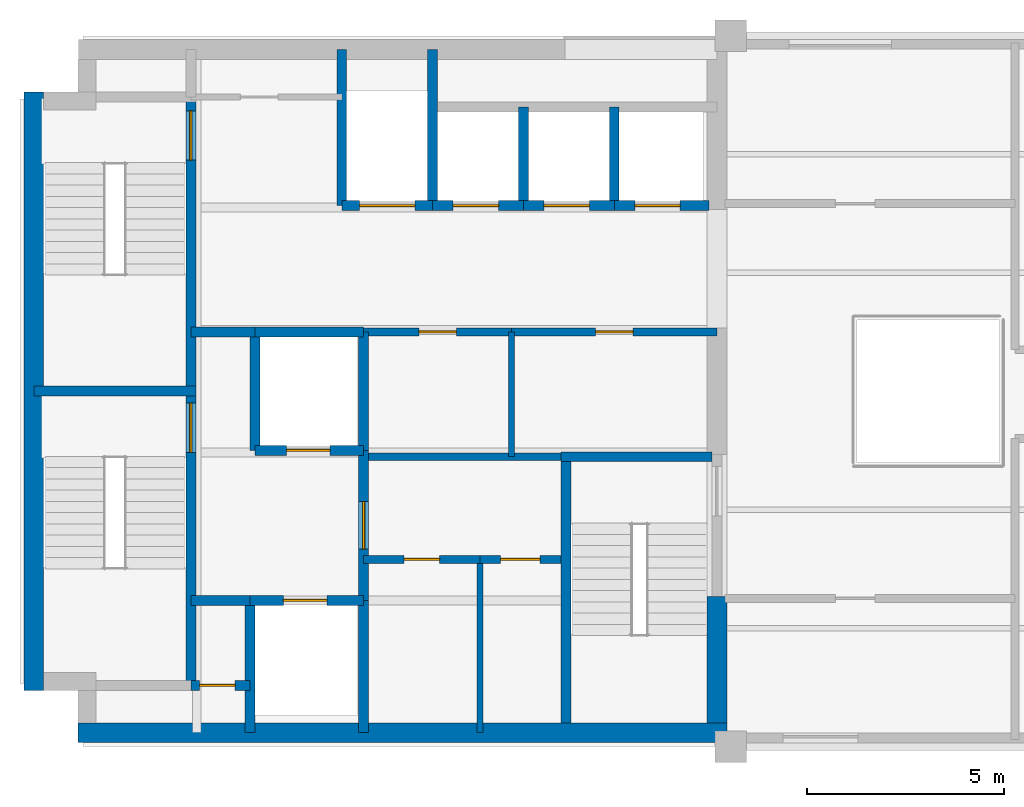
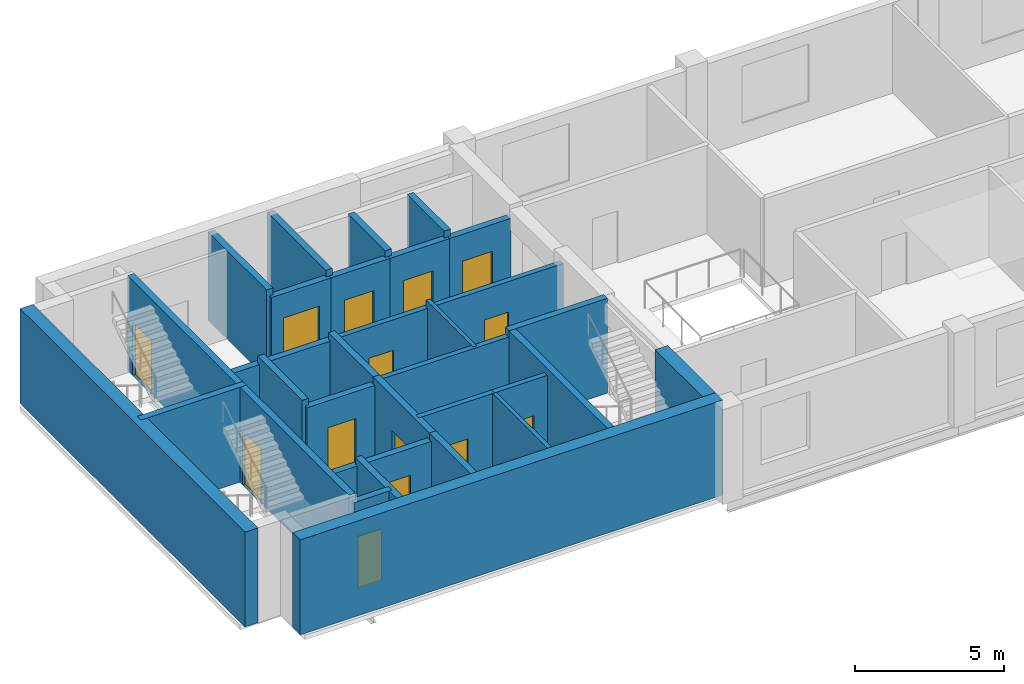
# One storey, part 2 of 5: 34 walls, 14 doors, 14 openings.
"""IFC4 building model written with IfcOpenShell, lengths in metres."""

import ifcopenshell
import ifcopenshell.guid

model = None  # the IFC model being written
_history = None  # IfcOwnerHistory: only IFC2X3 demands one
_inside = {}  # id of a spatial element -> (the spatial element, [elements in it])
_under = {}  # id of a project, library or spatial element -> (it, [spatial elements below it])
_declared = {}  # id of a project -> (the project, [libraries it declares])
_typed = {}  # id of a type object -> (the type object, [elements of that type])
_made_of = {}  # id of a material, layer set ... -> (it, [elements and type objects made of it])


def new_model(schema):
    """Start an empty IFC model of exactly this schema.

    Asked for "IFC4X3", IfcOpenShell would pick the latest addendum, in which some entities
    have other attributes; the version numbers below select the first issue.
    IFC2X3 requires an IfcOwnerHistory on every rooted entity: one is made here for all.
    """
    global model, _history
    if schema == "IFC4X3":
        model = ifcopenshell.file(schema_version=(4, 3, 0, 0))
    else:
        model = ifcopenshell.file(schema=schema)
    _inside.clear()
    _under.clear()
    _declared.clear()
    _typed.clear()
    _made_of.clear()
    _history = None
    if model.schema == "IFC2X3":
        org = make("IfcOrganization", Name="unknown")
        user = make(
            "IfcPersonAndOrganization",
            ThePerson=make("IfcPerson", FamilyName="unknown"),
            TheOrganization=org,
        )
        app = make(
            "IfcApplication",
            ApplicationDeveloper=org,
            Version="unknown",
            ApplicationFullName="unknown",
            ApplicationIdentifier="unknown",
        )
        _history = make(
            "IfcOwnerHistory",
            OwningUser=user,
            OwningApplication=app,
            ChangeAction="ADDED",
            CreationDate=0,
        )
    return model


def make(cls, **values):
    """One entity of the class cls with the attributes given. An attribute that is None is left unset."""
    return model.create_entity(
        cls, **{name: value for name, value in values.items() if value is not None}
    )


def rooted(cls, **values):
    """An entity with a GlobalId (a new one), such as an element, a storey or a relation."""
    return make(cls, GlobalId=ifcopenshell.guid.new(), OwnerHistory=_history, **values)


def si_unit(unit_type, name, prefix=None):
    """IfcSIUnit, for example si_unit("LENGTHUNIT", "METRE", prefix="MILLI")."""
    return make("IfcSIUnit", UnitType=unit_type, Prefix=prefix, Name=name)


def assignment(units):
    """IfcUnitAssignment: the units of a project."""
    return None if units is None else make("IfcUnitAssignment", Units=units)


def point(xyz):
    """IfcCartesianPoint."""
    return None if xyz is None else make("IfcCartesianPoint", Coordinates=xyz)


def direction(xyz):
    """IfcDirection."""
    return None if xyz is None else make("IfcDirection", DirectionRatios=xyz)


def frame(location, z_axis=None, x_axis=None):
    """IfcAxis2Placement3D, a coordinate frame: its origin and axes. An axis left out is left unset."""
    return make(
        "IfcAxis2Placement3D",
        Location=point(location),
        Axis=direction(z_axis),
        RefDirection=direction(x_axis),
    )


def frame_2d(location, x_axis=None):
    """IfcAxis2Placement2D, a coordinate frame in the plane: its origin and x axis."""
    return make(
        "IfcAxis2Placement2D", Location=point(location), RefDirection=direction(x_axis)
    )


def origin():
    """The frame at (0, 0, 0) with its axes left unset."""
    return frame((0.0, 0.0, 0.0))


def place(relative_to, where):
    """IfcLocalPlacement: puts the frame where relative to a parent placement (None: the world)."""
    return make(
        "IfcLocalPlacement", PlacementRelTo=relative_to, RelativePlacement=where
    )


def context(
    kind, dimensions, precision=None, world=None, true_north=None, identifier=None
):
    """IfcGeometricRepresentationContext, for example the 3D "Model" context."""
    return make(
        "IfcGeometricRepresentationContext",
        ContextIdentifier=identifier,
        ContextType=kind,
        CoordinateSpaceDimension=dimensions,
        Precision=precision,
        WorldCoordinateSystem=world,
        TrueNorth=true_north,
    )


def subcontext(parent, identifier, kind, view, scale=None):
    """IfcGeometricRepresentationSubContext, for example "Body" below "Model"."""
    return make(
        "IfcGeometricRepresentationSubContext",
        ContextIdentifier=identifier,
        ContextType=kind,
        ParentContext=parent,
        TargetScale=scale,
        TargetView=view,
    )


def project(units=None, contexts=None):
    """IfcProject with its units and contexts."""
    return rooted(
        "IfcProject",
        Name="project",
        RepresentationContexts=contexts,
        UnitsInContext=assignment(units),
    )


def spatial(cls, under=None, at=None, **own):
    """A site, building, storey or space (cls), placed at a placement, below another one or the project."""
    s = rooted(cls, ObjectPlacement=at, **own)
    if under is not None:
        _under.setdefault(under.id(), (under, []))[1].append(s)
    return s


def profile(cls, at=None, kind="AREA", **sizes):
    """A parametric profile (cls). Its sizes go by their IFC names, for example OverallWidth=200.0."""
    return make(cls, ProfileType=kind, Position=at, **sizes)


def rectangle(**sizes):
    """IfcRectangleProfileDef."""
    return profile("IfcRectangleProfileDef", **sizes)


def extrude(swept, where, along, depth):
    """IfcExtrudedAreaSolid: the profile swept, set in the frame where, extruded along a direction by depth."""
    return make(
        "IfcExtrudedAreaSolid",
        SweptArea=swept,
        Position=where,
        ExtrudedDirection=direction(along),
        Depth=depth,
    )


def shape(context_of_items, identifier, shape_type, items):
    """IfcShapeRepresentation: the items that make up one representation, for example the "Body"."""
    return make(
        "IfcShapeRepresentation",
        ContextOfItems=context_of_items,
        RepresentationIdentifier=identifier,
        RepresentationType=shape_type,
        Items=items,
    )


def material(Name=None, Category=None):
    """IfcMaterial."""
    return make("IfcMaterial", Name=Name, Category=Category)


def layer(
    of_material, thickness, ventilated=None, Name=None, Category=None, Priority=None
):
    """IfcMaterialLayer: one layer of a wall or slab, of a material (None: an air gap)."""
    return make(
        "IfcMaterialLayer",
        Material=of_material,
        LayerThickness=thickness,
        IsVentilated=ventilated,
        Name=Name,
        Category=Category,
        Priority=Priority,
    )


def layer_set(layers, Name=None):
    """IfcMaterialLayerSet."""
    return make("IfcMaterialLayerSet", MaterialLayers=layers, LayerSetName=Name)


def made_of(thing, what):
    """Note that an element or type object is made of a material, layer set ...; save() writes the relation."""
    if what is not None:
        _made_of.setdefault(what.id(), (what, []))[1].append(thing)
    return thing


def type_object(cls, material=None, **own):
    """A type object (cls), such as IfcWallType, which elements share."""
    return made_of(rooted(cls, **own), material)


def element(
    cls,
    number,
    at=None,
    inside=None,
    cuts=None,
    type_object=None,
    material=None,
    context=None,
    identifier="Body",
    shape_type=None,
    held_by="IfcProductDefinitionShape",
    body=None,
    shapes=None,
    **own,
):
    """One element of the class cls, such as IfcWall. Its Tag is "e" and its number.

    at: its placement. inside: the storey or other place that contains it. cuts: it is an
    opening in that element (IfcRelVoidsElement). A single representation is given by context,
    identifier, shape_type and body (its items); several are given by shapes. held_by: the class
    of the entity that holds the representations. save() writes the other relations.
    """
    e = rooted(cls, Tag="e%d" % number, ObjectPlacement=at, **own)
    if body is not None:
        shapes = [shape(context, identifier, shape_type, body)]
    if shapes is not None:
        e.Representation = make(held_by, Representations=shapes)
    if inside is not None:
        _inside.setdefault(inside.id(), (inside, []))[1].append(e)
    if cuts is not None:
        rooted(
            "IfcRelVoidsElement", RelatingBuildingElement=cuts, RelatedOpeningElement=e
        )
    if type_object is not None:
        _typed.setdefault(type_object.id(), (type_object, []))[1].append(e)
    return made_of(e, material)


def fill(opening, filler):
    """IfcRelFillsElement: the door or window that sits in an opening."""
    return rooted(
        "IfcRelFillsElement",
        RelatingOpeningElement=opening,
        RelatedBuildingElement=filler,
    )


def aggregate(whole, parts):
    """IfcRelAggregates: a whole, such as a stair, and the parts it consists of."""
    return rooted("IfcRelAggregates", RelatingObject=whole, RelatedObjects=parts)


def save(model, path):
    """Write the relations noted so far, then the file.

    IfcRelAggregates (storeys below a building ...), IfcRelContainedInSpatialStructure (elements
    in a storey), IfcRelDefinesByType, IfcRelAssociatesMaterial and IfcRelDeclares: one each for
    every whole, place, type object, material and project.
    """
    for whole, parts in _under.values():
        aggregate(whole, parts)
    for where, things in _inside.values():
        rooted(
            "IfcRelContainedInSpatialStructure",
            RelatedElements=things,
            RelatingStructure=where,
        )
    for kind, things in _typed.values():
        rooted("IfcRelDefinesByType", RelatedObjects=things, RelatingType=kind)
    for what, things in _made_of.values():
        rooted("IfcRelAssociatesMaterial", RelatedObjects=things, RelatingMaterial=what)
    for by, libraries in _declared.values():
        rooted("IfcRelDeclares", RelatingContext=by, RelatedDefinitions=libraries)
    model.write(path)


model = new_model("IFC4")

# Units and contexts
model_context = context("Model", 3, precision=1e-05, world=origin(), true_north=direction((0.0, 1.0)))
body_context = subcontext(model_context, "Body", "Model", "MODEL_VIEW")
ifc_project = project(units=[si_unit("LENGTHUNIT", "METRE"), si_unit("AREAUNIT", "SQUARE_METRE"), si_unit("VOLUMEUNIT", "CUBIC_METRE"), si_unit("PLANEANGLEUNIT", "RADIAN"), si_unit("MASSUNIT", "GRAM", prefix="KILO")], contexts=[model_context])

# Site, building, storey
site_placement = place(None, origin())
site = spatial("IfcSite", under=ifc_project, at=site_placement, CompositionType="ELEMENT")
building_placement = place(site_placement, origin())
building = spatial("IfcBuilding", under=site, at=building_placement, Name="Mawjdan Bourse Tower", CompositionType="ELEMENT")
storey_placement = place(building_placement, frame((0.0, 0.0, 282.0)))
storey = spatial("IfcBuildingStorey", under=building, at=storey_placement, Name="L69", CompositionType="ELEMENT", Elevation=282.0)

# Wall, opening, door
ifc_material_1 = material(Name="Gypsum Fireboard Assembly")
ifc_layer_1 = layer(ifc_material_1, 0.199951171875)
ifc_layer_set_1 = layer_set([ifc_layer_1], Name="Gypsum Fireboard Assembly")
wall_type_1 = type_object("IfcWallType", Name="WL-CMP-200", PredefinedType="PARTITIONING", material=ifc_layer_set_1)
wall_1_placement = place(storey_placement, frame((14.699951171875, 7.739990234375, 0.0), z_axis=(0.0, 0.0, 1.0), x_axis=(1.0, 0.0, 0.0)))
wall_1 = element("IfcWall", 1, at=wall_1_placement, inside=storey, type_object=wall_type_1, Name="L69 IT & Telemetry Room North Wall", PredefinedType="PARTITIONING", context=body_context, shape_type="SweptSolid", body=[
    extrude(rectangle(XDim=2.949951171875, YDim=0.199951171875, at=frame_2d((1.47509765625, 0.0))), origin(), (0.0, 0.0, 1.0), 3.6298828125),
])
opening_1_placement = place(wall_1_placement, frame((1.02490234375, 0.0, 0.0)))
opening_1 = element("IfcOpeningElement", 2, at=opening_1_placement, cuts=wall_1, Name="Opening D-L69-13", PredefinedType="OPENING", context=body_context, shape_type="SweptSolid", body=[
    extrude(rectangle(XDim=0.89990234375, YDim=2.10009765625, at=frame_2d((0.449951171875, 1.050048828125))), frame((0.0, 0.10986328125, 0.0), z_axis=(0.0, -1.0, 0.0), x_axis=(1.0, 0.0, 0.0)), (0.0, 0.0, 1.0), 0.219970703125),
])
ifc_material_2 = material(Name="Fire-Rated Steel Access Leaf", Category="steel")
door_type_1 = type_object("IfcDoorType", Name="FD-RSR-0900", OperationType="NOTDEFINED", PredefinedType="TRAPDOOR", material=ifc_material_2)
door_1_placement = place(opening_1_placement, origin())
door_1 = element("IfcDoor", 3, at=door_1_placement, inside=storey, type_object=door_type_1, Name="L69 IT & Telemetry Room Door D-L69-13", OperationType="SINGLE_SWING_RIGHT", OverallHeight=2.10009765625, OverallWidth=0.89990234375, PredefinedType="TRAPDOOR", context=body_context, shape_type="SweptSolid", body=[
    extrude(rectangle(XDim=0.89990234375, YDim=2.10009765625, at=frame_2d((0.449951171875, 1.050048828125))), frame((0.0, 0.02490234375, 0.0), z_axis=(0.0, -1.0, 0.0), x_axis=(1.0, 0.0, 0.0)), (0.0, 0.0, 1.0), 0.050048828125),
])
fill(opening_1, door_1)

wall_2_placement = place(storey_placement, frame((17.64990234375, 7.739990234375, 0.0), z_axis=(0.0, 0.0, 1.0), x_axis=(1.0, 0.0, 0.0)))
wall_2 = element("IfcWall", 4, at=wall_2_placement, inside=storey, type_object=wall_type_1, Name="L69 Mail & Courier Office North Wall", PredefinedType="PARTITIONING", context=body_context, shape_type="SweptSolid", body=[
    extrude(rectangle(XDim=2.050048828125, YDim=0.199951171875, at=frame_2d((1.02490234375, 0.0))), origin(), (0.0, 0.0, 1.0), 3.6298828125),
])
opening_2_placement = place(wall_2_placement, frame((0.52490234375, 0.0, 0.0)))
opening_2 = element("IfcOpeningElement", 5, at=opening_2_placement, cuts=wall_2, Name="Opening D-L69-14", PredefinedType="OPENING", context=body_context, shape_type="SweptSolid", body=[
    extrude(rectangle(XDim=1.0, YDim=2.14990234375, at=frame_2d((0.5, 1.074951171875))), frame((0.0, 0.10986328125, 0.0), z_axis=(0.0, -1.0, 0.0), x_axis=(1.0, 0.0, 0.0)), (0.0, 0.0, 1.0), 0.219970703125),
])
ifc_material_3 = material(Name="Hardwood Acoustic Leaf", Category="wood")
door_type_2 = type_object("IfcDoorType", Name="DR-OFC-1000", OperationType="NOTDEFINED", PredefinedType="DOOR", material=ifc_material_3)
door_2_placement = place(opening_2_placement, origin())
door_2 = element("IfcDoor", 6, at=door_2_placement, inside=storey, type_object=door_type_2, Name="L69 Mail & Courier Office Door D-L69-14", OperationType="SINGLE_SWING_LEFT", OverallHeight=2.14990234375, OverallWidth=1.0, PredefinedType="DOOR", context=body_context, shape_type="SweptSolid", body=[
    extrude(rectangle(XDim=1.0, YDim=2.14990234375, at=frame_2d((0.5, 1.074951171875))), frame((0.0, 0.02490234375, 0.0), z_axis=(0.0, -1.0, 0.0), x_axis=(1.0, 0.0, 0.0)), (0.0, 0.0, 1.0), 0.050048828125),
])
fill(opening_2, door_2)

# Wall
wall_3_placement = place(storey_placement, frame((14.824951171875, 10.340087890625, 0.0), z_axis=(0.0, 0.0, 1.0), x_axis=(1.0, 0.0, 0.0)))
element("IfcWall", 7, at=wall_3_placement, inside=storey, type_object=wall_type_1, Name="L69 Core Restroom Suite South Wall", PredefinedType="PARTITIONING", context=body_context, shape_type="SweptSolid", body=[
    extrude(rectangle(XDim=4.880126953125, YDim=0.199951171875, at=frame_2d((2.43994140625, 0.0))), origin(), (0.0, 0.0, 1.0), 3.6298828125),
])

# Wall, opening, door
wall_4_placement = place(storey_placement, frame((14.699951171875, 13.5, 0.0), z_axis=(0.0, 0.0, 1.0), x_axis=(1.0, 0.0, 0.0)))
wall_4 = element("IfcWall", 8, at=wall_4_placement, inside=storey, type_object=wall_type_1, Name="L69 Female Restroom North Wall", PredefinedType="PARTITIONING", context=body_context, shape_type="SweptSolid", body=[
    extrude(rectangle(XDim=3.75, YDim=0.199951171875, at=frame_2d((1.875, 0.0))), origin(), (0.0, 0.0, 1.0), 3.35400390625),
])
opening_3_placement = place(wall_4_placement, frame((1.39990234375, 0.0, 0.0)))
opening_3 = element("IfcOpeningElement", 9, at=opening_3_placement, cuts=wall_4, Name="Opening D-L69-15", PredefinedType="OPENING", context=body_context, shape_type="SweptSolid", body=[
    extrude(rectangle(XDim=0.949951171875, YDim=2.10009765625, at=frame_2d((0.47509765625, 1.050048828125))), frame((0.0, 0.10986328125, 0.0), z_axis=(0.0, -1.0, 0.0), x_axis=(1.0, 0.0, 0.0)), (0.0, 0.0, 1.0), 0.219970703125),
])
ifc_material_4 = material(Name="Moisture-Resistant Laminate Timber", Category="wood")
door_type_3 = type_object("IfcDoorType", Name="DR-WET-0950", OperationType="NOTDEFINED", PredefinedType="DOOR", material=ifc_material_4)
door_3_placement = place(opening_3_placement, origin())
door_3 = element("IfcDoor", 10, at=door_3_placement, inside=storey, type_object=door_type_3, Name="L69 Female Restroom Door D-L69-15", OperationType="SINGLE_SWING_RIGHT", OverallHeight=2.10009765625, OverallWidth=0.949951171875, PredefinedType="DOOR", context=body_context, shape_type="SweptSolid", body=[
    extrude(rectangle(XDim=0.949951171875, YDim=2.10009765625, at=frame_2d((0.47509765625, 1.050048828125))), frame((0.0, 0.02490234375, 0.0), z_axis=(0.0, -1.0, 0.0), x_axis=(1.0, 0.0, 0.0)), (0.0, 0.0, 1.0), 0.050048828125),
])
fill(opening_3, door_3)

wall_5_placement = place(storey_placement, frame((18.449951171875, 13.5, 0.0), z_axis=(0.0, 0.0, 1.0), x_axis=(1.0, 0.0, 0.0)))
wall_5 = element("IfcWall", 11, at=wall_5_placement, inside=storey, type_object=wall_type_1, Name="L69 Accessible WC North Wall", PredefinedType="PARTITIONING", context=body_context, shape_type="SweptSolid", body=[
    extrude(rectangle(XDim=5.199951171875, YDim=0.199951171875, at=frame_2d((2.60009765625, 0.0))), origin(), (0.0, 0.0, 1.0), 3.35400390625),
])
opening_4_placement = place(wall_5_placement, frame((2.125, 0.0, 0.0)))
opening_4 = element("IfcOpeningElement", 12, at=opening_4_placement, cuts=wall_5, Name="Opening D-L69-16", PredefinedType="OPENING", context=body_context, shape_type="SweptSolid", body=[
    extrude(rectangle(XDim=0.949951171875, YDim=2.10009765625, at=frame_2d((0.47509765625, 1.050048828125))), frame((0.0, 0.10986328125, 0.0), z_axis=(0.0, -1.0, 0.0), x_axis=(1.0, 0.0, 0.0)), (0.0, 0.0, 1.0), 0.219970703125),
])
door_4_placement = place(opening_4_placement, origin())
door_4 = element("IfcDoor", 13, at=door_4_placement, inside=storey, type_object=door_type_3, Name="L69 Accessible WC Door D-L69-16", OperationType="SINGLE_SWING_LEFT", OverallHeight=2.10009765625, OverallWidth=0.949951171875, PredefinedType="DOOR", context=body_context, shape_type="SweptSolid", body=[
    extrude(rectangle(XDim=0.949951171875, YDim=2.10009765625, at=frame_2d((0.47509765625, 1.050048828125))), frame((0.0, 0.02490234375, 0.0), z_axis=(0.0, -1.0, 0.0), x_axis=(1.0, 0.0, 0.0)), (0.0, 0.0, 1.0), 0.050048828125),
])
fill(opening_4, door_4)

# Walls
ifc_material_5 = material(Name="Concrete C60/75", Category="concrete")
ifc_layer_2 = layer(ifc_material_5, 0.5)
ifc_layer_set_2 = layer_set([ifc_layer_2], Name="Concrete C60/75")
wall_type_2 = type_object("IfcWallType", Name="WL-CORE-500", PredefinedType="SHEAR", material=ifc_layer_set_2)
wall_6_placement = place(storey_placement, frame((7.47509765625, 3.35009765625, 0.0), z_axis=(0.0, 0.0, 1.0), x_axis=(1.0, 0.0, 0.0)))
element("IfcWall", 14, at=wall_6_placement, inside=storey, type_object=wall_type_2, Name="L69 Rear Core Shear Wall S", PredefinedType="SHEAR", context=body_context, shape_type="SweptSolid", body=[
    extrude(rectangle(XDim=16.4248046875, YDim=0.5, at=frame_2d((8.21240234375, 0.0))), origin(), (0.0, 0.0, 1.0), 3.89990234375),
])
wall_7_placement = place(storey_placement, frame((6.35009765625, 4.425048828125, 0.0), z_axis=(0.0, 0.0, 1.0), x_axis=(0.0, 1.0, 0.0)))
element("IfcWall", 15, at=wall_7_placement, inside=storey, type_object=wall_type_2, Name="L69 Rear Core Shear Wall W", PredefinedType="SHEAR", context=body_context, shape_type="SweptSolid", body=[
    extrude(rectangle(XDim=15.14990234375, YDim=0.5, at=frame_2d((7.574951171875, 0.0))), origin(), (0.0, 0.0, 1.0), 3.89990234375),
])
wall_8_placement = place(storey_placement, frame((23.64990234375, 3.60009765625, 0.0), z_axis=(0.0, 0.0, 1.0), x_axis=(0.0, 1.0, 0.0)))
element("IfcWall", 16, at=wall_8_placement, inside=storey, type_object=wall_type_2, Name="L69 Rear Core Shear Wall E1", PredefinedType="SHEAR", context=body_context, shape_type="SweptSolid", body=[
    extrude(rectangle(XDim=3.199951171875, YDim=0.5, at=frame_2d((1.60009765625, 0.0))), origin(), (0.0, 0.0, 1.0), 3.89990234375),
])
ifc_material_6 = material(Name="Gypsum Acoustic Partition")
ifc_layer_3 = layer(ifc_material_6, 0.14990234375)
ifc_layer_set_3 = layer_set([ifc_layer_3], Name="Gypsum Acoustic Partition")
wall_type_3 = type_object("IfcWallType", Name="WL-PRT-150", PredefinedType="PARTITIONING", material=ifc_layer_set_3)
wall_9_placement = place(storey_placement, frame((17.64990234375, 3.35009765625, 0.0), z_axis=(0.0, 0.0, 1.0), x_axis=(0.0, 1.0, 0.0)))
element("IfcWall", 17, at=wall_9_placement, inside=storey, type_object=wall_type_3, Name="L69 Mail & Courier Office Core Split Wall", PredefinedType="PARTITIONING", context=body_context, shape_type="SweptSolid", body=[
    extrude(rectangle(XDim=4.389892578125, YDim=0.14990234375, at=frame_2d((2.19482421875, 0.0))), origin(), (0.0, 0.0, 1.0), 3.6298828125),
])
wall_10_placement = place(storey_placement, frame((18.449951171875, 10.340087890625, 0.0), z_axis=(0.0, 0.0, 1.0), x_axis=(0.0, 1.0, 0.0)))
element("IfcWall", 18, at=wall_10_placement, inside=storey, type_object=wall_type_3, Name="L69 Accessible WC Split Wall", PredefinedType="PARTITIONING", context=body_context, shape_type="SweptSolid", body=[
    extrude(rectangle(XDim=3.159912109375, YDim=0.14990234375, at=frame_2d((1.580078125, 0.0))), origin(), (0.0, 0.0, 1.0), 3.6298828125),
])

# Wall, opening, door
ifc_material_7 = material(Name="Concrete C50/60", Category="concrete")
ifc_layer_4 = layer(ifc_material_7, 0.25)
ifc_layer_set_4 = layer_set([ifc_layer_4], Name="Concrete C50/60")
wall_type_4 = type_object("IfcWallType", Name="WL-SHFT-250", PredefinedType="PARTITIONING", material=ifc_layer_set_4)
wall_11_placement = place(storey_placement, frame((10.330078125, 4.550048828125, 0.0), z_axis=(0.0, 0.0, 1.0), x_axis=(1.0, 0.0, 0.0)))
wall_11 = element("IfcWall", 19, at=wall_11_placement, inside=storey, type_object=wall_type_4, Name="L69 SW Riser North Wall", PredefinedType="PARTITIONING", context=body_context, shape_type="SweptSolid", body=[
    extrude(rectangle(XDim=1.489990234375, YDim=0.25, at=frame_2d((0.7451171875, 0.0))), origin(), (0.0, 0.0, 1.0), 3.6298828125),
])
opening_5_placement = place(wall_11_placement, frame((0.219970703125, 0.0, 0.0)))
opening_5 = element("IfcOpeningElement", 20, at=opening_5_placement, cuts=wall_11, Name="Opening RD-L69-03", PredefinedType="OPENING", context=body_context, shape_type="SweptSolid", body=[
    extrude(rectangle(XDim=0.89990234375, YDim=2.10009765625, at=frame_2d((0.449951171875, 1.050048828125))), frame((0.0, 0.135009765625, 0.0), z_axis=(0.0, -1.0, 0.0), x_axis=(1.0, 0.0, 0.0)), (0.0, 0.0, 1.0), 0.27001953125),
])
door_5_placement = place(opening_5_placement, origin())
door_5 = element("IfcDoor", 21, at=door_5_placement, inside=storey, type_object=door_type_1, Name="L69 Electrical Riser Access Door RD-L69-03", OperationType="SINGLE_SWING_RIGHT", OverallHeight=2.10009765625, OverallWidth=0.89990234375, PredefinedType="TRAPDOOR", context=body_context, shape_type="SweptSolid", body=[
    extrude(rectangle(XDim=0.89990234375, YDim=2.10009765625, at=frame_2d((0.449951171875, 1.050048828125))), frame((0.0, 0.02490234375, 0.0), z_axis=(0.0, -1.0, 0.0), x_axis=(1.0, 0.0, 0.0)), (0.0, 0.0, 1.0), 0.050048828125),
])
fill(opening_5, door_5)

# Wall
wall_12_placement = place(storey_placement, frame((11.820068359375, 3.35009765625, 0.0), z_axis=(0.0, 0.0, 1.0), x_axis=(0.0, 1.0, 0.0)))
element("IfcWall", 22, at=wall_12_placement, inside=storey, type_object=wall_type_4, Name="L69 SW Riser & FFL01 West Wall", PredefinedType="PARTITIONING", context=body_context, shape_type="SweptSolid", body=[
    extrude(rectangle(XDim=3.349853515625, YDim=0.25, at=frame_2d((1.6748046875, 0.0))), origin(), (0.0, 0.0, 1.0), 3.6298828125),
])

# Wall, opening, door
wall_13_placement = place(storey_placement, frame((11.820068359375, 6.699951171875, 0.0), z_axis=(0.0, 0.0, 1.0), x_axis=(1.0, 0.0, 0.0)))
wall_13 = element("IfcWall", 23, at=wall_13_placement, inside=storey, type_object=wall_type_4, Name="L69 FFL-01 Front Shaft Wall", PredefinedType="PARTITIONING", context=body_context, shape_type="SweptSolid", body=[
    extrude(rectangle(XDim=2.8798828125, YDim=0.25, at=frame_2d((1.43994140625, 0.0))), origin(), (0.0, 0.0, 1.0), 3.35400390625),
])
opening_6_placement = place(wall_13_placement, frame((0.85009765625, 0.0, 0.0)))
opening_6 = element("IfcOpeningElement", 24, at=opening_6_placement, cuts=wall_13, Name="Opening LD-L69-05", PredefinedType="OPENING", context=body_context, shape_type="SweptSolid", body=[
    extrude(rectangle(XDim=1.10009765625, YDim=2.25, at=frame_2d((0.550048828125, 1.125))), frame((0.0, 0.135009765625, 0.0), z_axis=(0.0, -1.0, 0.0), x_axis=(1.0, 0.0, 0.0)), (0.0, 0.0, 1.0), 0.27001953125),
])
ifc_material_8 = material(Name="Brushed Stainless Steel", Category="steel")
door_type_4 = type_object("IfcDoorType", Name="LD-FFL-1100", OperationType="DOUBLE_DOOR_SLIDING", PredefinedType="DOOR", material=ifc_material_8)
door_6_placement = place(opening_6_placement, origin())
door_6 = element("IfcDoor", 25, at=door_6_placement, inside=storey, type_object=door_type_4, Name="L69 Firefighting Lift FFL-01 Landing Door LD-L69-05", OperationType="DOUBLE_DOOR_SLIDING", OverallHeight=2.25, OverallWidth=1.10009765625, PredefinedType="DOOR", context=body_context, shape_type="SweptSolid", body=[
    extrude(rectangle(XDim=1.10009765625, YDim=2.25, at=frame_2d((0.550048828125, 1.125))), frame((0.0, 0.02490234375, 0.0), z_axis=(0.0, -1.0, 0.0), x_axis=(1.0, 0.0, 0.0)), (0.0, 0.0, 1.0), 0.050048828125),
])
fill(opening_6, door_6)

# Wall
wall_14_placement = place(storey_placement, frame((14.699951171875, 3.35009765625, 0.0), z_axis=(0.0, 0.0, 1.0), x_axis=(0.0, 1.0, 0.0)))
element("IfcWall", 26, at=wall_14_placement, inside=storey, type_object=wall_type_4, Name="L69 FFL-01 East Shaft Wall", PredefinedType="PARTITIONING", context=body_context, shape_type="SweptSolid", body=[
    extrude(rectangle(XDim=3.349853515625, YDim=0.25, at=frame_2d((1.6748046875, 0.0))), origin(), (0.0, 0.0, 1.0), 3.6298828125),
])

# Wall, opening, door
wall_15_placement = place(storey_placement, frame((11.949951171875, 10.5, 0.0), z_axis=(0.0, 0.0, 1.0), x_axis=(1.0, 0.0, 0.0)))
wall_15 = element("IfcWall", 27, at=wall_15_placement, inside=storey, type_object=wall_type_4, Name="L69 FFL-02 Front Shaft Wall", PredefinedType="PARTITIONING", context=body_context, shape_type="SweptSolid", body=[
    extrude(rectangle(XDim=2.75, YDim=0.25, at=frame_2d((1.375, 0.0))), origin(), (0.0, 0.0, 1.0), 3.35400390625),
])
opening_7_placement = place(wall_15_placement, frame((0.800048828125, 0.0, 0.0)))
opening_7 = element("IfcOpeningElement", 28, at=opening_7_placement, cuts=wall_15, Name="Opening LD-L69-06", PredefinedType="OPENING", context=body_context, shape_type="SweptSolid", body=[
    extrude(rectangle(XDim=1.10009765625, YDim=2.25, at=frame_2d((0.550048828125, 1.125))), frame((0.0, 0.135009765625, 0.0), z_axis=(0.0, -1.0, 0.0), x_axis=(1.0, 0.0, 0.0)), (0.0, 0.0, 1.0), 0.27001953125),
])
door_7_placement = place(opening_7_placement, origin())
door_7 = element("IfcDoor", 29, at=door_7_placement, inside=storey, type_object=door_type_4, Name="L69 Firefighting Lift FFL-02 Landing Door LD-L69-06", OperationType="DOUBLE_DOOR_SLIDING", OverallHeight=2.25, OverallWidth=1.10009765625, PredefinedType="DOOR", context=body_context, shape_type="SweptSolid", body=[
    extrude(rectangle(XDim=1.10009765625, YDim=2.25, at=frame_2d((0.550048828125, 1.125))), frame((0.0, 0.02490234375, 0.0), z_axis=(0.0, -1.0, 0.0), x_axis=(1.0, 0.0, 0.0)), (0.0, 0.0, 1.0), 0.050048828125),
])
fill(opening_7, door_7)

# Walls
wall_16_placement = place(storey_placement, frame((11.949951171875, 10.5, 0.0), z_axis=(0.0, 0.0, 1.0), x_axis=(0.0, 1.0, 0.0)))
element("IfcWall", 30, at=wall_16_placement, inside=storey, type_object=wall_type_4, Name="L69 FFL-02 West Shaft Wall", PredefinedType="PARTITIONING", context=body_context, shape_type="SweptSolid", body=[
    extrude(rectangle(XDim=3.0, YDim=0.25, at=frame_2d((1.5, 0.0))), origin(), (0.0, 0.0, 1.0), 3.6298828125),
])
wall_17_placement = place(storey_placement, frame((11.949951171875, 13.5, 0.0), z_axis=(0.0, 0.0, 1.0), x_axis=(1.0, 0.0, 0.0)))
element("IfcWall", 31, at=wall_17_placement, inside=storey, type_object=wall_type_4, Name="L69 FFL-02 North Shaft Wall", PredefinedType="PARTITIONING", context=body_context, shape_type="SweptSolid", body=[
    extrude(rectangle(XDim=2.75, YDim=0.25, at=frame_2d((1.375, 0.0))), origin(), (0.0, 0.0, 1.0), 3.35400390625),
])
wall_18_placement = place(storey_placement, frame((14.699951171875, 10.5, 0.0), z_axis=(0.0, 0.0, 1.0), x_axis=(0.0, 1.0, 0.0)))
element("IfcWall", 32, at=wall_18_placement, inside=storey, type_object=wall_type_4, Name="L69 FFL-02 East Shaft Wall", PredefinedType="PARTITIONING", context=body_context, shape_type="SweptSolid", body=[
    extrude(rectangle(XDim=3.0, YDim=0.25, at=frame_2d((1.5, 0.0))), origin(), (0.0, 0.0, 1.0), 3.6298828125),
])

# Wall, opening, door
wall_19_placement = place(storey_placement, frame((14.699951171875, 6.699951171875, 0.0), z_axis=(0.0, 0.0, 1.0), x_axis=(0.0, 1.0, 0.0)))
wall_19 = element("IfcWall", 33, at=wall_19_placement, inside=storey, type_object=wall_type_4, Name="L69 Firefighting Lobby East Compartment Wall", PredefinedType="PARTITIONING", context=body_context, shape_type="SweptSolid", body=[
    extrude(rectangle(XDim=3.800048828125, YDim=0.25, at=frame_2d((1.89990234375, 0.0))), origin(), (0.0, 0.0, 1.0), 3.6298828125),
])
opening_8_placement = place(wall_19_placement, frame((1.300048828125, 0.0, 0.0)))
opening_8 = element("IfcOpeningElement", 34, at=opening_8_placement, cuts=wall_19, Name="Opening FD-L69-07", PredefinedType="OPENING", context=body_context, shape_type="SweptSolid", body=[
    extrude(rectangle(XDim=1.199951171875, YDim=2.199951171875, at=frame_2d((0.60009765625, 1.10009765625))), frame((0.0, 0.135009765625, 0.0), z_axis=(0.0, -1.0, 0.0), x_axis=(1.0, 0.0, 0.0)), (0.0, 0.0, 1.0), 0.27001953125),
])
ifc_material_9 = material(Name="Fire-Rated Steel Leaf", Category="steel")
door_type_5 = type_object("IfcDoorType", Name="FD-FFL-1200", OperationType="NOTDEFINED", PredefinedType="DOOR", material=ifc_material_9)
door_8_placement = place(opening_8_placement, origin())
door_8 = element("IfcDoor", 35, at=door_8_placement, inside=storey, type_object=door_type_5, Name="L69 Firefighting Lobby East Smoke Door FD-L69-07", OperationType="SINGLE_SWING_RIGHT", OverallHeight=2.199951171875, OverallWidth=1.199951171875, PredefinedType="DOOR", context=body_context, shape_type="SweptSolid", body=[
    extrude(rectangle(XDim=1.199951171875, YDim=2.199951171875, at=frame_2d((0.60009765625, 1.10009765625))), frame((0.0, 0.02490234375, 0.0), z_axis=(0.0, -1.0, 0.0), x_axis=(1.0, 0.0, 0.0)), (0.0, 0.0, 1.0), 0.050048828125),
])
fill(opening_8, door_8)

# Walls
wall_20_placement = place(storey_placement, frame((10.330078125, 13.5, 0.0), z_axis=(0.0, 0.0, 1.0), x_axis=(1.0, 0.0, 0.0)))
element("IfcWall", 36, at=wall_20_placement, inside=storey, type_object=wall_type_4, Name="L69 Firefighting Lobby North Compartment Wall", PredefinedType="PARTITIONING", context=body_context, shape_type="SweptSolid", body=[
    extrude(rectangle(XDim=1.619873046875, YDim=0.25, at=frame_2d((0.81005859375, 0.0))), origin(), (0.0, 0.0, 1.0), 3.35400390625),
])
wall_21_placement = place(storey_placement, frame((10.330078125, 6.699951171875, 0.0), z_axis=(0.0, 0.0, 1.0), x_axis=(1.0, 0.0, 0.0)))
element("IfcWall", 37, at=wall_21_placement, inside=storey, type_object=wall_type_4, Name="L69 Firefighting Lobby South Closure Wall", PredefinedType="PARTITIONING", context=body_context, shape_type="SweptSolid", body=[
    extrude(rectangle(XDim=1.489990234375, YDim=0.25, at=frame_2d((0.7451171875, 0.0))), origin(), (0.0, 0.0, 1.0), 3.35400390625),
])

# Wall, opening, door
wall_22_placement = place(storey_placement, frame((14.14990234375, 16.699951171875, 0.0), z_axis=(0.0, 0.0, 1.0), x_axis=(1.0, 0.0, 0.0)))
wall_22 = element("IfcWall", 38, at=wall_22_placement, inside=storey, type_object=wall_type_4, Name="L69 SVL-01 Front Shaft Wall", PredefinedType="PARTITIONING", context=body_context, shape_type="SweptSolid", body=[
    extrude(rectangle(XDim=2.300048828125, YDim=0.25, at=frame_2d((1.14990234375, 0.0))), origin(), (0.0, 0.0, 1.0), 3.35400390625),
])
opening_9_placement = place(wall_22_placement, frame((0.449951171875, 0.0, 0.0)))
opening_9 = element("IfcOpeningElement", 39, at=opening_9_placement, cuts=wall_22, Name="Opening LD-L69-09", PredefinedType="OPENING", context=body_context, shape_type="SweptSolid", body=[
    extrude(rectangle(XDim=1.39990234375, YDim=2.35009765625, at=frame_2d((0.699951171875, 1.175048828125))), frame((0.0, 0.135009765625, 0.0), z_axis=(0.0, -1.0, 0.0), x_axis=(1.0, 0.0, 0.0)), (0.0, 0.0, 1.0), 0.27001953125),
])
ifc_material_10 = material(Name="Heavy-Duty Stainless Steel", Category="steel")
door_type_6 = type_object("IfcDoorType", Name="LD-SRV-1400", OperationType="DOUBLE_DOOR_SLIDING", PredefinedType="DOOR", material=ifc_material_10)
door_9_placement = place(opening_9_placement, origin())
door_9 = element("IfcDoor", 40, at=door_9_placement, inside=storey, type_object=door_type_6, Name="L69 Service Lift SVL-01 Landing Door LD-L69-09", OperationType="DOUBLE_DOOR_SLIDING", OverallHeight=2.35009765625, OverallWidth=1.39990234375, PredefinedType="DOOR", context=body_context, shape_type="SweptSolid", body=[
    extrude(rectangle(XDim=1.39990234375, YDim=2.35009765625, at=frame_2d((0.699951171875, 1.175048828125))), frame((0.0, 0.02490234375, 0.0), z_axis=(0.0, -1.0, 0.0), x_axis=(1.0, 0.0, 0.0)), (0.0, 0.0, 1.0), 0.050048828125),
])
fill(opening_9, door_9)

# Walls
for number, where, z_axis, x_axis, name in (
    (41, (14.14990234375, 16.699951171875, 0.0), (0.0, 0.0, 1.0), (0.0, 1.0, 0.0), "L69 SVL-01 West Shaft Wall"),
    (42, (16.449951171875, 16.699951171875, 0.0), (0.0, 0.0, 1.0), (0.0, 1.0, 0.0), "L69 SVL-01 East Shaft Wall"),
):
    element("IfcWall", number, at=place(storey_placement, frame(where, z_axis=z_axis, x_axis=x_axis)), inside=storey, type_object=wall_type_4, Name=name, PredefinedType="PARTITIONING", context=body_context, shape_type="SweptSolid", body=[
        extrude(rectangle(XDim=3.949951171875, YDim=0.25, at=frame_2d((1.97509765625, 0.0))), origin(), (0.0, 0.0, 1.0), 3.6298828125),
    ])

# Wall, opening, door
wall_23_placement = place(storey_placement, frame((16.449951171875, 16.699951171875, 0.0), z_axis=(0.0, 0.0, 1.0), x_axis=(1.0, 0.0, 0.0)))
wall_23 = element("IfcWall", 43, at=wall_23_placement, inside=storey, type_object=wall_type_4, Name="L69 PH-01 Front Wall", PredefinedType="PARTITIONING", context=body_context, shape_type="SweptSolid", body=[
    extrude(rectangle(XDim=2.300048828125, YDim=0.25, at=frame_2d((1.14990234375, 0.0))), origin(), (0.0, 0.0, 1.0), 3.35400390625),
])
opening_10_placement = place(wall_23_placement, frame((0.52001953125, 0.0, 0.0)))
opening_10 = element("IfcOpeningElement", 44, at=opening_10_placement, cuts=wall_23, Name="Opening LD-L69-10", PredefinedType="OPENING", context=body_context, shape_type="SweptSolid", body=[
    extrude(rectangle(XDim=1.14990234375, YDim=2.25, at=frame_2d((0.574951171875, 1.125))), frame((0.0, 0.135009765625, 0.0), z_axis=(0.0, -1.0, 0.0), x_axis=(1.0, 0.0, 0.0)), (0.0, 0.0, 1.0), 0.27001953125),
])
door_type_7 = type_object("IfcDoorType", Name="LD-PAS-1150", OperationType="DOUBLE_DOOR_SLIDING", PredefinedType="DOOR", material=ifc_material_8)
door_10_placement = place(opening_10_placement, origin())
door_10 = element("IfcDoor", 45, at=door_10_placement, inside=storey, type_object=door_type_7, Name="L69 Lift PH-01 Landing Door LD-L69-10", OperationType="DOUBLE_DOOR_SLIDING", OverallHeight=2.25, OverallWidth=1.14990234375, PredefinedType="DOOR", context=body_context, shape_type="SweptSolid", body=[
    extrude(rectangle(XDim=1.14990234375, YDim=2.25, at=frame_2d((0.574951171875, 1.125))), frame((0.0, 0.02490234375, 0.0), z_axis=(0.0, -1.0, 0.0), x_axis=(1.0, 0.0, 0.0)), (0.0, 0.0, 1.0), 0.050048828125),
])
fill(opening_10, door_10)

# Wall
wall_24_placement = place(storey_placement, frame((18.75, 16.699951171875, 0.0), z_axis=(0.0, 0.0, 1.0), x_axis=(0.0, 1.0, 0.0)))
element("IfcWall", 46, at=wall_24_placement, inside=storey, type_object=wall_type_4, Name="L69 PH-01 Divider Wall", PredefinedType="PARTITIONING", context=body_context, shape_type="SweptSolid", body=[
    extrude(rectangle(XDim=2.5, YDim=0.25, at=frame_2d((1.25, 0.0))), origin(), (0.0, 0.0, 1.0), 3.6298828125),
])

# Wall, opening, door
wall_25_placement = place(storey_placement, frame((18.75, 16.699951171875, 0.0), z_axis=(0.0, 0.0, 1.0), x_axis=(1.0, 0.0, 0.0)))
wall_25 = element("IfcWall", 47, at=wall_25_placement, inside=storey, type_object=wall_type_4, Name="L69 PH-02 Front Wall", PredefinedType="PARTITIONING", context=body_context, shape_type="SweptSolid", body=[
    extrude(rectangle(XDim=2.300048828125, YDim=0.25, at=frame_2d((1.14990234375, 0.0))), origin(), (0.0, 0.0, 1.0), 3.35400390625),
])
opening_11_placement = place(wall_25_placement, frame((0.52001953125, 0.0, 0.0)))
opening_11 = element("IfcOpeningElement", 48, at=opening_11_placement, cuts=wall_25, Name="Opening LD-L69-11", PredefinedType="OPENING", context=body_context, shape_type="SweptSolid", body=[
    extrude(rectangle(XDim=1.14990234375, YDim=2.25, at=frame_2d((0.574951171875, 1.125))), frame((0.0, 0.135009765625, 0.0), z_axis=(0.0, -1.0, 0.0), x_axis=(1.0, 0.0, 0.0)), (0.0, 0.0, 1.0), 0.27001953125),
])
door_11_placement = place(opening_11_placement, origin())
door_11 = element("IfcDoor", 49, at=door_11_placement, inside=storey, type_object=door_type_7, Name="L69 Lift PH-02 Landing Door LD-L69-11", OperationType="DOUBLE_DOOR_SLIDING", OverallHeight=2.25, OverallWidth=1.14990234375, PredefinedType="DOOR", context=body_context, shape_type="SweptSolid", body=[
    extrude(rectangle(XDim=1.14990234375, YDim=2.25, at=frame_2d((0.574951171875, 1.125))), frame((0.0, 0.02490234375, 0.0), z_axis=(0.0, -1.0, 0.0), x_axis=(1.0, 0.0, 0.0)), (0.0, 0.0, 1.0), 0.050048828125),
])
fill(opening_11, door_11)

# Wall
wall_26_placement = place(storey_placement, frame((21.050048828125, 16.699951171875, 0.0), z_axis=(0.0, 0.0, 1.0), x_axis=(0.0, 1.0, 0.0)))
element("IfcWall", 50, at=wall_26_placement, inside=storey, type_object=wall_type_4, Name="L69 PH-02 Divider Wall", PredefinedType="PARTITIONING", context=body_context, shape_type="SweptSolid", body=[
    extrude(rectangle(XDim=2.5, YDim=0.25, at=frame_2d((1.25, 0.0))), origin(), (0.0, 0.0, 1.0), 3.6298828125),
])

# Wall, opening, door
wall_27_placement = place(storey_placement, frame((21.050048828125, 16.699951171875, 0.0), z_axis=(0.0, 0.0, 1.0), x_axis=(1.0, 0.0, 0.0)))
wall_27 = element("IfcWall", 51, at=wall_27_placement, inside=storey, type_object=wall_type_4, Name="L69 PH-03 Front Wall", PredefinedType="PARTITIONING", context=body_context, shape_type="SweptSolid", body=[
    extrude(rectangle(XDim=2.39990234375, YDim=0.25, at=frame_2d((1.199951171875, 0.0))), origin(), (0.0, 0.0, 1.0), 3.35400390625),
])
opening_12_placement = place(wall_27_placement, frame((0.52001953125, 0.0, 0.0)))
opening_12 = element("IfcOpeningElement", 52, at=opening_12_placement, cuts=wall_27, Name="Opening LD-L69-12", PredefinedType="OPENING", context=body_context, shape_type="SweptSolid", body=[
    extrude(rectangle(XDim=1.14990234375, YDim=2.25, at=frame_2d((0.574951171875, 1.125))), frame((0.0, 0.135009765625, 0.0), z_axis=(0.0, -1.0, 0.0), x_axis=(1.0, 0.0, 0.0)), (0.0, 0.0, 1.0), 0.27001953125),
])
door_12_placement = place(opening_12_placement, origin())
door_12 = element("IfcDoor", 53, at=door_12_placement, inside=storey, type_object=door_type_7, Name="L69 Lift PH-03 Landing Door LD-L69-12", OperationType="DOUBLE_DOOR_SLIDING", OverallHeight=2.25, OverallWidth=1.14990234375, PredefinedType="DOOR", context=body_context, shape_type="SweptSolid", body=[
    extrude(rectangle(XDim=1.14990234375, YDim=2.25, at=frame_2d((0.574951171875, 1.125))), frame((0.0, 0.02490234375, 0.0), z_axis=(0.0, -1.0, 0.0), x_axis=(1.0, 0.0, 0.0)), (0.0, 0.0, 1.0), 0.050048828125),
])
fill(opening_12, door_12)

# Wall
ifc_layer_5 = layer(ifc_material_7, 0.25)
ifc_layer_set_5 = layer_set([ifc_layer_5], Name="Concrete C50/60")
wall_type_5 = type_object("IfcWallType", Name="WL-STRW-250", PredefinedType="SHEAR", material=ifc_layer_set_5)
wall_28_placement = place(storey_placement, frame((6.35009765625, 12.0, 0.0), z_axis=(0.0, 0.0, 1.0), x_axis=(1.0, 0.0, 0.0)))
element("IfcWall", 54, at=wall_28_placement, inside=storey, type_object=wall_type_5, Name="L69 Stairwell Dividing Shaft Wall", PredefinedType="SHEAR", context=body_context, shape_type="SweptSolid", body=[
    extrude(rectangle(XDim=4.10498046875, YDim=0.25, at=frame_2d((2.052490234375, 0.0))), origin(), (0.0, 0.0, 1.0), 3.89990234375),
])

# Wall, opening, door
wall_29_placement = place(storey_placement, frame((10.330078125, 4.550048828125, 0.0), z_axis=(0.0, 0.0, 1.0), x_axis=(0.0, 1.0, 0.0)))
wall_29 = element("IfcWall", 55, at=wall_29_placement, inside=storey, type_object=wall_type_5, Name="L69 Stairwell ST1 East Enclosure Wall", PredefinedType="SHEAR", context=body_context, shape_type="SweptSolid", body=[
    extrude(rectangle(XDim=7.449951171875, YDim=0.25, at=frame_2d((3.72509765625, 0.0))), origin(), (0.0, 0.0, 1.0), 3.89990234375),
])
opening_13_placement = place(wall_29_placement, frame((5.89990234375, 0.0, 0.0)))
opening_13 = element("IfcOpeningElement", 56, at=opening_13_placement, cuts=wall_29, Name="Opening SD-L69-01", PredefinedType="OPENING", context=body_context, shape_type="SweptSolid", body=[
    extrude(rectangle(XDim=1.25, YDim=2.199951171875, at=frame_2d((0.625, 1.10009765625))), frame((0.0, 0.135009765625, 0.0), z_axis=(0.0, -1.0, 0.0), x_axis=(1.0, 0.0, 0.0)), (0.0, 0.0, 1.0), 0.27001953125),
])
door_type_8 = type_object("IfcDoorType", Name="FD-ST-1250", OperationType="NOTDEFINED", PredefinedType="DOOR", material=ifc_material_9)
door_13_placement = place(opening_13_placement, origin())
door_13 = element("IfcDoor", 57, at=door_13_placement, inside=storey, type_object=door_type_8, Name="L69 Exit Stair ST1 Fire Door SD-L69-01", OperationType="SINGLE_SWING_RIGHT", OverallHeight=2.199951171875, OverallWidth=1.25, PredefinedType="DOOR", context=body_context, shape_type="SweptSolid", body=[
    extrude(rectangle(XDim=1.25, YDim=2.199951171875, at=frame_2d((0.625, 1.10009765625))), frame((0.0, 0.02490234375, 0.0), z_axis=(0.0, -1.0, 0.0), x_axis=(1.0, 0.0, 0.0)), (0.0, 0.0, 1.0), 0.050048828125),
])
fill(opening_13, door_13)

wall_30_placement = place(storey_placement, frame((10.330078125, 12.0, 0.0), z_axis=(0.0, 0.0, 1.0), x_axis=(0.0, 1.0, 0.0)))
wall_30 = element("IfcWall", 58, at=wall_30_placement, inside=storey, type_object=wall_type_5, Name="L69 Stairwell ST2 East Enclosure Wall", PredefinedType="SHEAR", context=body_context, shape_type="SweptSolid", body=[
    extrude(rectangle(XDim=7.449951171875, YDim=0.25, at=frame_2d((3.72509765625, 0.0))), origin(), (0.0, 0.0, 1.0), 3.89990234375),
])
opening_14_placement = place(wall_30_placement, frame((5.85009765625, 0.0, 0.0)))
opening_14 = element("IfcOpeningElement", 59, at=opening_14_placement, cuts=wall_30, Name="Opening SD-L69-02", PredefinedType="OPENING", context=body_context, shape_type="SweptSolid", body=[
    extrude(rectangle(XDim=1.25, YDim=2.199951171875, at=frame_2d((0.625, 1.10009765625))), frame((0.0, 0.135009765625, 0.0), z_axis=(0.0, -1.0, 0.0), x_axis=(1.0, 0.0, 0.0)), (0.0, 0.0, 1.0), 0.27001953125),
])
door_14_placement = place(opening_14_placement, origin())
door_14 = element("IfcDoor", 60, at=door_14_placement, inside=storey, type_object=door_type_8, Name="L69 Exit Stair ST2 Fire Door SD-L69-02", OperationType="SINGLE_SWING_LEFT", OverallHeight=2.199951171875, OverallWidth=1.25, PredefinedType="DOOR", context=body_context, shape_type="SweptSolid", body=[
    extrude(rectangle(XDim=1.25, YDim=2.199951171875, at=frame_2d((0.625, 1.10009765625))), frame((0.0, 0.02490234375, 0.0), z_axis=(0.0, -1.0, 0.0), x_axis=(1.0, 0.0, 0.0)), (0.0, 0.0, 1.0), 0.050048828125),
])
fill(opening_14, door_14)

# Walls
wall_31_placement = place(storey_placement, frame((19.830078125, 3.60009765625, 0.0), z_axis=(0.0, 0.0, 1.0), x_axis=(0.0, 1.0, 0.0)))
element("IfcWall", 61, at=wall_31_placement, inside=storey, type_object=wall_type_5, Name="L69 ST7 West Shaft Wall", PredefinedType="SHEAR", context=body_context, shape_type="SweptSolid", body=[
    extrude(rectangle(XDim=6.739990234375, YDim=0.25, at=frame_2d((3.3701171875, 0.0))), origin(), (0.0, 0.0, 1.0), 3.89990234375),
])
wall_32_placement = place(storey_placement, frame((19.705078125, 10.340087890625, 0.0), z_axis=(0.0, 0.0, 1.0), x_axis=(1.0, 0.0, 0.0)))
element("IfcWall", 62, at=wall_32_placement, inside=storey, type_object=wall_type_5, Name="L69 ST7 North Shaft Wall", PredefinedType="SHEAR", context=body_context, shape_type="SweptSolid", body=[
    extrude(rectangle(XDim=3.81982421875, YDim=0.25, at=frame_2d((1.909912109375, 0.0))), origin(), (0.0, 0.0, 1.0), 3.89990234375),
])

save(model, "model.ifc")
